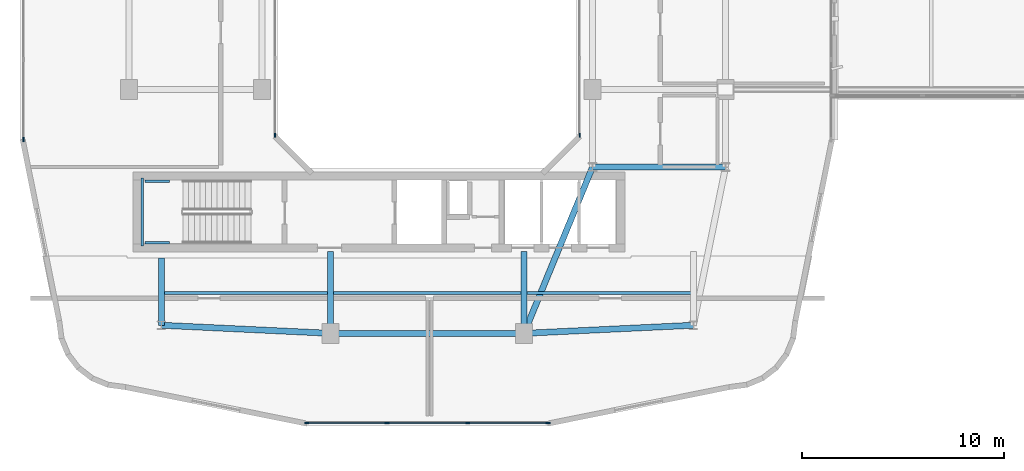
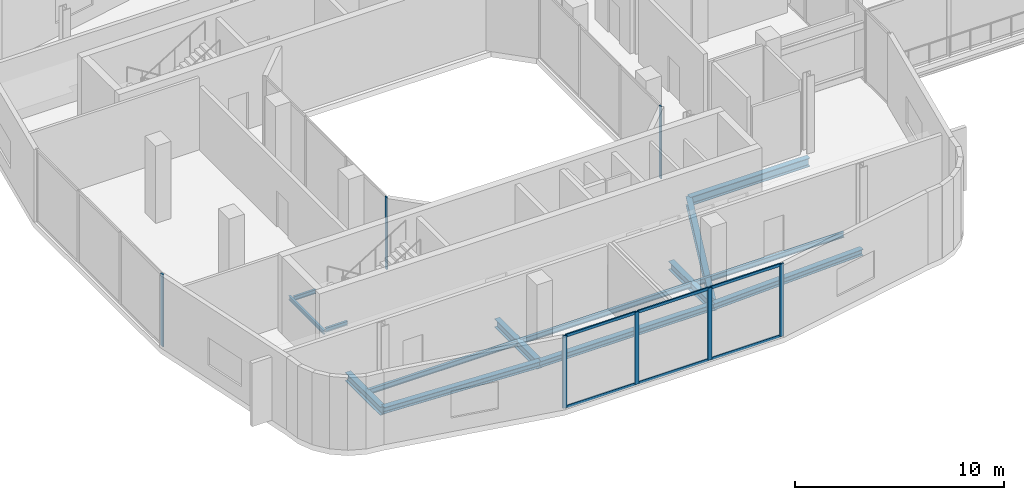
# One storey, part 3 of 24: 14 beams, 13 members, 4 elements without a shape of their own.
"""IFC4 building model written with IfcOpenShell, lengths in metres."""

from ifc_helpers import new_model, si_unit, derived_unit, direction, frame, origin, origin_2d, place, context, subcontext, project, spatial, rectangle, i_section, extrude, material, layer, layer_set, material_profile, profile_set, type_object, element, aggregate, save


model = new_model("IFC4")

# Units and contexts
model_context = context("Model", 3, precision=1e-05, world=origin(), true_north=direction((0.0, 1.0)))
body_context = subcontext(model_context, "Body", "Model", "MODEL_VIEW")
ifc_project = project(units=[si_unit("LENGTHUNIT", "METRE"), si_unit("AREAUNIT", "SQUARE_METRE"), si_unit("VOLUMEUNIT", "CUBIC_METRE"), si_unit("PLANEANGLEUNIT", "RADIAN"), si_unit("MASSUNIT", "GRAM", prefix="KILO"), derived_unit("THERMALTRANSMITTANCEUNIT", [(si_unit("POWERUNIT", "WATT"), 1), (si_unit("LENGTHUNIT", "METRE"), -2), (si_unit("THERMODYNAMICTEMPERATUREUNIT", "KELVIN"), -1)])], contexts=[model_context])

# Site, building, storey
site_placement = place(None, origin())
site = spatial("IfcSite", under=ifc_project, at=site_placement, CompositionType="ELEMENT")
building_placement = place(site_placement, origin())
building = spatial("IfcBuilding", under=site, at=building_placement, Name="Kivonza Crest Hotel", CompositionType="ELEMENT")
storey_placement = place(building_placement, frame((0.0, 0.0, 119.5)))
storey = spatial("IfcBuildingStorey", under=building, at=storey_placement, Name="L32", CompositionType="ELEMENT", Elevation=119.5)

# Beams
ifc_material_1 = material(Name="Steel S355", Category="steel")
ifc_material_profile_1 = material_profile(ifc_material_1, i_section(OverallWidth=0.300048828125, OverallDepth=0.360107421875, WebThickness=0.012451171875, FlangeThickness=0.0224609375, FilletRadius=0.027099609375, at=origin_2d()), Name="HEB 360")
ifc_profile_set_1 = profile_set([ifc_material_profile_1], Name="Steel S355")
beam_type_1 = type_object("IfcBeamType", Name="BM-HEB360", PredefinedType="SPANDREL", material=ifc_profile_set_1)
beam_1_placement = place(storey_placement, frame((16.199951171875, 9.39990234375, -0.5), z_axis=(1.0, 0.0, 0.0), x_axis=(0.0, 1.0, 0.0)))
element("IfcBeam", 1, at=beam_1_placement, inside=storey, type_object=beam_type_1, Name="Tower T1 L32 perimeter spandrel S1-S2", PredefinedType="SPANDREL", context=body_context, shape_type="SweptSolid", body=[
    extrude(i_section(OverallWidth=0.300048828125, OverallDepth=0.360107421875, WebThickness=0.012451171875, FlangeThickness=0.0224609375, FilletRadius=0.027099609375, at=origin_2d()), origin(), (0.0, 0.0, 1.0), 9.60009765625),
])
for number, where, z_axis, x_axis, name in (
    (2, (25.800048828125, 9.39990234375, -0.5), (0.998867283688, 0.047583080799, 0.0), (-0.047583080799, 0.998867283688, 0.0), "Tower T1 L32 perimeter spandrel S2-SE"),
    (3, (7.800048828125, 9.800048828125, -0.5), (0.998867283688, -0.047583080799, 0.0), (0.047583080799, 0.998867283688, 0.0), "Tower T1 L32 perimeter spandrel SW-S1"),
):
    element("IfcBeam", number, at=place(storey_placement, frame(where, z_axis=z_axis, x_axis=x_axis)), inside=storey, type_object=beam_type_1, Name=name, PredefinedType="SPANDREL", context=body_context, shape_type="SweptSolid", body=[
        extrude(i_section(OverallWidth=0.300048828125, OverallDepth=0.360107421875, WebThickness=0.012451171875, FlangeThickness=0.0224609375, FilletRadius=0.027099609375, at=origin_2d()), origin(), (0.0, 0.0, 1.0), 8.409423828125),
    ])
ifc_material_profile_2 = material_profile(ifc_material_1, i_section(OverallWidth=0.300048828125, OverallDepth=0.5, WebThickness=0.014404296875, FlangeThickness=0.028076171875, FilletRadius=0.027099609375, at=origin_2d()), Name="HEB 500")
ifc_profile_set_2 = profile_set([ifc_material_profile_2], Name="Steel S355")
beam_type_2 = type_object("IfcBeamType", Name="BM-HEB500", PredefinedType="BEAM", material=ifc_profile_set_2)
beam_2_placement = place(storey_placement, frame((25.800048828125, 9.39990234375, -0.570068359375), z_axis=(0.381022260404, 0.924565864109, 0.0), x_axis=(-0.924565864109, 0.381022260404, 0.0)))
element("IfcBeam", 4, at=beam_2_placement, inside=storey, type_object=beam_type_2, Name="Tower T1 L32 primary girder S1-TSE", PredefinedType="BEAM", context=body_context, shape_type="SweptSolid", body=[
    extrude(i_section(OverallWidth=0.300048828125, OverallDepth=0.5, WebThickness=0.014404296875, FlangeThickness=0.028076171875, FilletRadius=0.027099609375, at=origin_2d()), origin(), (0.0, 0.0, 1.0), 8.923095703125),
])
beam_3_placement = place(storey_placement, frame((29.199951171875, 17.64990234375, -0.570068359375), z_axis=(1.0, 0.0, 0.0), x_axis=(0.0, 1.0, 0.0)))
element("IfcBeam", 5, at=beam_3_placement, inside=storey, type_object=beam_type_2, Name="Tower T1 L32 primary girder TSE-PSE", PredefinedType="BEAM", context=body_context, shape_type="SweptSolid", body=[
    extrude(i_section(OverallWidth=0.300048828125, OverallDepth=0.5, WebThickness=0.014404296875, FlangeThickness=0.028076171875, FilletRadius=0.027099609375, at=origin_2d()), origin(), (0.0, 0.0, 1.0), 6.60009765625),
])
beam_4_placement = place(storey_placement, frame((7.800048828125, 9.800048828125, -0.570068359375), z_axis=(0.0, 1.0, 0.0), x_axis=(-1.0, 0.0, 0.0)))
element("IfcBeam", 6, at=beam_4_placement, inside=storey, type_object=beam_type_2, Name="Tower T1 L32 radial core girder RSW", PredefinedType="BEAM", context=body_context, shape_type="SweptSolid", body=[
    extrude(i_section(OverallWidth=0.300048828125, OverallDepth=0.5, WebThickness=0.014404296875, FlangeThickness=0.028076171875, FilletRadius=0.027099609375, at=origin_2d()), origin(), (0.0, 0.0, 1.0), 3.349853515625),
])
for number, where, z_axis, x_axis, name in (
    (7, (16.199951171875, 9.39990234375, -0.570068359375), (0.0, 1.0, 0.0), (-1.0, 0.0, 0.0), "Tower T1 L32 radial core girder RS1"),
    (8, (25.800048828125, 9.39990234375, -0.570068359375), (0.0, 1.0, 0.0), (-1.0, 0.0, 0.0), "Tower T1 L32 radial core girder RS2"),
):
    element("IfcBeam", number, at=place(storey_placement, frame(where, z_axis=z_axis, x_axis=x_axis)), inside=storey, type_object=beam_type_2, Name=name, PredefinedType="BEAM", context=body_context, shape_type="SweptSolid", body=[
        extrude(i_section(OverallWidth=0.300048828125, OverallDepth=0.5, WebThickness=0.014404296875, FlangeThickness=0.028076171875, FilletRadius=0.027099609375, at=origin_2d()), origin(), (0.0, 0.0, 1.0), 4.050048828125),
    ])
ifc_material_profile_3 = material_profile(ifc_material_1, i_section(OverallWidth=0.14990234375, OverallDepth=0.300048828125, WebThickness=0.007080078125, FlangeThickness=0.0107421875, FilletRadius=0.014892578125, at=origin_2d()), Name="IPE 300")
ifc_profile_set_3 = profile_set([ifc_material_profile_3], Name="Steel S355")
beam_type_3 = type_object("IfcBeamType", Name="BM-IPE300", PredefinedType="JOIST", material=ifc_profile_set_3)
beam_5_placement = place(storey_placement, frame((7.8798828125, 11.39990234375, -0.469970703125), z_axis=(1.0, 0.0, 0.0), x_axis=(0.0, 1.0, 0.0)))
element("IfcBeam", 9, at=beam_5_placement, inside=storey, type_object=beam_type_3, Name="Tower T1 L32 South-West floor joist", PredefinedType="JOIST", context=body_context, shape_type="SweptSolid", body=[
    extrude(i_section(OverallWidth=0.14990234375, OverallDepth=0.300048828125, WebThickness=0.007080078125, FlangeThickness=0.0107421875, FilletRadius=0.014892578125, at=origin_2d()), origin(), (0.0, 0.0, 1.0), 8.240234375),
])
beam_6_placement = place(storey_placement, frame((16.280029296875, 11.39990234375, -0.469970703125), z_axis=(1.0, 0.0, 0.0), x_axis=(0.0, 1.0, 0.0)))
element("IfcBeam", 10, at=beam_6_placement, inside=storey, type_object=beam_type_3, Name="Tower T1 L32 South-Mid floor joist", PredefinedType="JOIST", context=body_context, shape_type="SweptSolid", body=[
    extrude(i_section(OverallWidth=0.14990234375, OverallDepth=0.300048828125, WebThickness=0.007080078125, FlangeThickness=0.0107421875, FilletRadius=0.014892578125, at=origin_2d()), origin(), (0.0, 0.0, 1.0), 9.43994140625),
])
beam_7_placement = place(storey_placement, frame((25.8798828125, 11.39990234375, -0.469970703125), z_axis=(1.0, 0.0, 0.0), x_axis=(0.0, 1.0, 0.0)))
element("IfcBeam", 11, at=beam_7_placement, inside=storey, type_object=beam_type_3, Name="Tower T1 L32 South-East floor joist", PredefinedType="JOIST", context=body_context, shape_type="SweptSolid", body=[
    extrude(i_section(OverallWidth=0.14990234375, OverallDepth=0.300048828125, WebThickness=0.007080078125, FlangeThickness=0.0107421875, FilletRadius=0.014892578125, at=origin_2d()), origin(), (0.0, 0.0, 1.0), 8.240234375),
])
ifc_material_profile_4 = material_profile(ifc_material_1, i_section(OverallWidth=0.1201171875, OverallDepth=0.239990234375, WebThickness=0.006103515625, FlangeThickness=0.009765625, FilletRadius=0.014892578125, at=origin_2d()), Name="IPE 240")
ifc_profile_set_4 = profile_set([ifc_material_profile_4], Name="Steel S355")
beam_type_4 = type_object("IfcBeamType", Name="BM-LLDG-240", PredefinedType="BEAM", material=ifc_profile_set_4)
beam_8_placement = place(storey_placement, frame((6.860107421875, 13.739990234375, 1.929931640625), z_axis=(0.0, 1.0, 0.0), x_axis=(-1.0, 0.0, 0.0)))
element("IfcBeam", 12, at=beam_8_placement, inside=storey, type_object=beam_type_4, Name="Stair ST-T1-S L32 West landing corbel", PredefinedType="BEAM", context=body_context, shape_type="SweptSolid", body=[
    extrude(i_section(OverallWidth=0.1201171875, OverallDepth=0.239990234375, WebThickness=0.006103515625, FlangeThickness=0.009765625, FilletRadius=0.014892578125, at=origin_2d()), origin(), (0.0, 0.0, 1.0), 3.360107421875),
])
for number, where, z_axis, x_axis, name in (
    (13, (6.989990234375, 13.89990234375, 1.929931640625), (1.0, 0.0, 0.0), (0.0, 1.0, 0.0), "Stair ST-T1-S L32 South landing corbel"),
    (14, (6.989990234375, 16.93994140625, 1.929931640625), (1.0, 0.0, 0.0), (0.0, 1.0, 0.0), "Stair ST-T1-S L32 North landing corbel"),
):
    element("IfcBeam", number, at=place(storey_placement, frame(where, z_axis=z_axis, x_axis=x_axis)), inside=storey, type_object=beam_type_4, Name=name, PredefinedType="BEAM", context=body_context, shape_type="SweptSolid", body=[
        extrude(i_section(OverallWidth=0.1201171875, OverallDepth=0.239990234375, WebThickness=0.006103515625, FlangeThickness=0.009765625, FilletRadius=0.014892578125, at=origin_2d()), origin(), (0.0, 0.0, 1.0), 1.2099609375),
    ])

# Curtain wall, member
ifc_material_2 = material(Name="Anodised bronze aluminium and low-E double glazing", Category="aluminium")
ifc_layer_1 = layer(ifc_material_2, 0.159912109375)
ifc_layer_set_1 = layer_set([ifc_layer_1], Name="Anodised bronze aluminium and low-E double glazing")
curtain_wall_type_1 = type_object("IfcCurtainWallType", Name="CW-SYS-5", PredefinedType="NOTDEFINED", material=ifc_layer_set_1)
curtain_wall_1_placement = place(storey_placement, origin())
curtain_wall_1 = element("IfcCurtainWall", 15, at=curtain_wall_1_placement, inside=storey, type_object=curtain_wall_type_1, Name="L32 unitised curtain wall CW-WELL-T1-L32-3", PredefinedType="NOTDEFINED")
ifc_material_3 = material(Name="Anodised bronze aluminium", Category="aluminium")
ifc_material_profile_5 = material_profile(ifc_material_3, rectangle(XDim=0.06494140625, YDim=0.179931640625, at=origin_2d()), Name="CW-M 65x180")
ifc_profile_set_5 = profile_set([ifc_material_profile_5], Name="Anodised bronze aluminium")
member_type_1 = type_object("IfcMemberType", Name="CW-MUL-65x180", PredefinedType="MULLION", material=ifc_profile_set_5)
member_1_placement = place(storey_placement, frame((28.56005859375, 19.232421875, 0.0), z_axis=(0.0, 0.0, 1.0), x_axis=(-1.0, 0.0, 0.0)))
member_1 = element("IfcMember", 16, at=member_1_placement, type_object=member_type_1, Name="CW-5 mullion 1", PredefinedType="MULLION", context=body_context, shape_type="SweptSolid", body=[
    extrude(rectangle(XDim=0.06494140625, YDim=0.179931640625, at=origin_2d()), origin(), (0.0, 0.0, 1.0), 4.219970703125),
])
aggregate(curtain_wall_1, [member_1])

curtain_wall_2_placement = place(storey_placement, origin())
curtain_wall_2 = element("IfcCurtainWall", 17, at=curtain_wall_2_placement, inside=storey, type_object=curtain_wall_type_1, Name="L32 unitised curtain wall CW-WELL-T1-L32-7", PredefinedType="NOTDEFINED")
member_2_placement = place(storey_placement, frame((13.43994140625, 19.232421875, 0.0), z_axis=(0.0, 0.0, 1.0), x_axis=(1.0, 0.0, 0.0)))
member_2 = element("IfcMember", 18, at=member_2_placement, type_object=member_type_1, Name="CW-5 mullion 4", PredefinedType="MULLION", context=body_context, shape_type="SweptSolid", body=[
    extrude(rectangle(XDim=0.06494140625, YDim=0.179931640625, at=origin_2d()), origin(), (0.0, 0.0, 1.0), 4.219970703125),
])
aggregate(curtain_wall_2, [member_2])

# Curtain wall, members
ifc_layer_2 = layer(ifc_material_2, 0.179931640625)
ifc_layer_set_2 = layer_set([ifc_layer_2], Name="Anodised bronze aluminium and low-E double glazing")
curtain_wall_type_2 = type_object("IfcCurtainWallType", Name="CW-SYS-3", PredefinedType="NOTDEFINED", material=ifc_layer_set_2)
curtain_wall_3_placement = place(storey_placement, origin())
curtain_wall_3 = element("IfcCurtainWall", 19, at=curtain_wall_3_placement, inside=storey, type_object=curtain_wall_type_2, Name="L32 unitised curtain wall CW-T1-L32-08", PredefinedType="NOTDEFINED")
ifc_material_profile_6 = material_profile(ifc_material_3, rectangle(XDim=0.074951171875, YDim=0.219970703125, at=origin_2d()), Name="CW-M 75x220")
ifc_profile_set_6 = profile_set([ifc_material_profile_6], Name="Anodised bronze aluminium")
member_type_2 = type_object("IfcMemberType", Name="CW-MUL-75x220", PredefinedType="MULLION", material=ifc_profile_set_6)
member_3_placement = place(storey_placement, frame((15.017578125, 4.9599609375, 0.0), z_axis=(0.0, 0.0, 1.0), x_axis=(0.0, 1.0, 0.0)))
member_3 = element("IfcMember", 20, at=member_3_placement, type_object=member_type_2, Name="CW-3 mullion 1", PredefinedType="MULLION", context=body_context, shape_type="SweptSolid", body=[
    extrude(rectangle(XDim=0.074951171875, YDim=0.219970703125, at=origin_2d()), origin(), (0.0, 0.0, 1.0), 4.219970703125),
])
member_4_placement = place(storey_placement, frame((18.993408203125, 4.9599609375, 0.0), z_axis=(0.0, 0.0, 1.0), x_axis=(0.0, 1.0, 0.0)))
member_4 = element("IfcMember", 21, at=member_4_placement, type_object=member_type_2, Name="CW-3 mullion 2", PredefinedType="MULLION", context=body_context, shape_type="SweptSolid", body=[
    extrude(rectangle(XDim=0.074951171875, YDim=0.219970703125, at=origin_2d()), origin(), (0.0, 0.0, 1.0), 4.219970703125),
])
member_5_placement = place(storey_placement, frame((23.006591796875, 4.9599609375, 0.0), z_axis=(0.0, 0.0, 1.0), x_axis=(0.0, 1.0, 0.0)))
member_5 = element("IfcMember", 22, at=member_5_placement, type_object=member_type_2, Name="CW-3 mullion 3", PredefinedType="MULLION", context=body_context, shape_type="SweptSolid", body=[
    extrude(rectangle(XDim=0.074951171875, YDim=0.219970703125, at=origin_2d()), origin(), (0.0, 0.0, 1.0), 4.219970703125),
])
member_6_placement = place(storey_placement, frame((26.982421875, 4.9599609375, 0.0), z_axis=(0.0, 0.0, 1.0), x_axis=(0.0, 1.0, 0.0)))
member_6 = element("IfcMember", 23, at=member_6_placement, type_object=member_type_2, Name="CW-3 mullion 4", PredefinedType="MULLION", context=body_context, shape_type="SweptSolid", body=[
    extrude(rectangle(XDim=0.074951171875, YDim=0.219970703125, at=origin_2d()), origin(), (0.0, 0.0, 1.0), 4.219970703125),
])

# Curtain wall, member
curtain_wall_4_placement = place(storey_placement, origin())
curtain_wall_4 = element("IfcCurtainWall", 24, at=curtain_wall_4_placement, inside=storey, type_object=curtain_wall_type_2, Name="L32 unitised curtain wall CW-T1-L32-35", PredefinedType="NOTDEFINED")
member_7_placement = place(storey_placement, frame((0.9599609375, 19.017578125, 0.0), z_axis=(0.0, 0.0, 1.0), x_axis=(1.0, 0.0, 0.0)))
member_7 = element("IfcMember", 25, at=member_7_placement, type_object=member_type_2, Name="CW-3 mullion 4", PredefinedType="MULLION", context=body_context, shape_type="SweptSolid", body=[
    extrude(rectangle(XDim=0.074951171875, YDim=0.219970703125, at=origin_2d()), origin(), (0.0, 0.0, 1.0), 4.219970703125),
])
aggregate(curtain_wall_4, [member_7])

# Member
ifc_material_profile_7 = material_profile(ifc_material_3, rectangle(XDim=0.074951171875, YDim=0.159912109375, at=origin_2d()), Name="CW-T 75x160")
ifc_profile_set_7 = profile_set([ifc_material_profile_7], Name="Anodised bronze aluminium")
member_type_3 = type_object("IfcMemberType", Name="CW-TRN-75x160", PredefinedType="USERDEFINED", material=ifc_profile_set_7)
member_8_placement = place(storey_placement, frame((15.054931640625, 4.9599609375, 0.03759765625), z_axis=(1.0, 0.0, 0.0), x_axis=(0.0, 1.0, 0.0)))
member_8 = element("IfcMember", 26, at=member_8_placement, type_object=member_type_3, Name="CW-3 transom 1.1", ObjectType="TRANSOM", PredefinedType="USERDEFINED", context=body_context, shape_type="SweptSolid", body=[
    extrude(rectangle(XDim=0.074951171875, YDim=0.159912109375, at=origin_2d()), origin(), (0.0, 0.0, 1.0), 3.90087890625),
])

member_9_placement = place(storey_placement, frame((15.054931640625, 4.9599609375, 4.1826171875), z_axis=(1.0, 0.0, 0.0), x_axis=(0.0, 1.0, 0.0)))
member_9 = element("IfcMember", 27, at=member_9_placement, type_object=member_type_3, Name="CW-3 transom 1.2", ObjectType="TRANSOM", PredefinedType="USERDEFINED", context=body_context, shape_type="SweptSolid", body=[
    extrude(rectangle(XDim=0.074951171875, YDim=0.159912109375, at=origin_2d()), origin(), (0.0, 0.0, 1.0), 3.90087890625),
])

member_10_placement = place(storey_placement, frame((19.03076171875, 4.9599609375, 0.03759765625), z_axis=(1.0, 0.0, 0.0), x_axis=(0.0, 1.0, 0.0)))
member_10 = element("IfcMember", 28, at=member_10_placement, type_object=member_type_3, Name="CW-3 transom 2.1", ObjectType="TRANSOM", PredefinedType="USERDEFINED", context=body_context, shape_type="SweptSolid", body=[
    extrude(rectangle(XDim=0.074951171875, YDim=0.159912109375, at=origin_2d()), origin(), (0.0, 0.0, 1.0), 3.9384765625),
])

member_11_placement = place(storey_placement, frame((19.03076171875, 4.9599609375, 4.1826171875), z_axis=(1.0, 0.0, 0.0), x_axis=(0.0, 1.0, 0.0)))
member_11 = element("IfcMember", 29, at=member_11_placement, type_object=member_type_3, Name="CW-3 transom 2.2", ObjectType="TRANSOM", PredefinedType="USERDEFINED", context=body_context, shape_type="SweptSolid", body=[
    extrude(rectangle(XDim=0.074951171875, YDim=0.159912109375, at=origin_2d()), origin(), (0.0, 0.0, 1.0), 3.9384765625),
])

member_12_placement = place(storey_placement, frame((23.044189453125, 4.9599609375, 0.03759765625), z_axis=(1.0, 0.0, 0.0), x_axis=(0.0, 1.0, 0.0)))
member_12 = element("IfcMember", 30, at=member_12_placement, type_object=member_type_3, Name="CW-3 transom 3.1", ObjectType="TRANSOM", PredefinedType="USERDEFINED", context=body_context, shape_type="SweptSolid", body=[
    extrude(rectangle(XDim=0.074951171875, YDim=0.159912109375, at=origin_2d()), origin(), (0.0, 0.0, 1.0), 3.90087890625),
])

member_13_placement = place(storey_placement, frame((23.044189453125, 4.9599609375, 4.1826171875), z_axis=(1.0, 0.0, 0.0), x_axis=(0.0, 1.0, 0.0)))
member_13 = element("IfcMember", 31, at=member_13_placement, type_object=member_type_3, Name="CW-3 transom 3.2", ObjectType="TRANSOM", PredefinedType="USERDEFINED", context=body_context, shape_type="SweptSolid", body=[
    extrude(rectangle(XDim=0.074951171875, YDim=0.159912109375, at=origin_2d()), origin(), (0.0, 0.0, 1.0), 3.90087890625),
])

aggregate(curtain_wall_3, [member_3, member_4, member_5, member_6, member_8, member_9, member_10, member_11, member_12, member_13])

save(model, "model.ifc")
